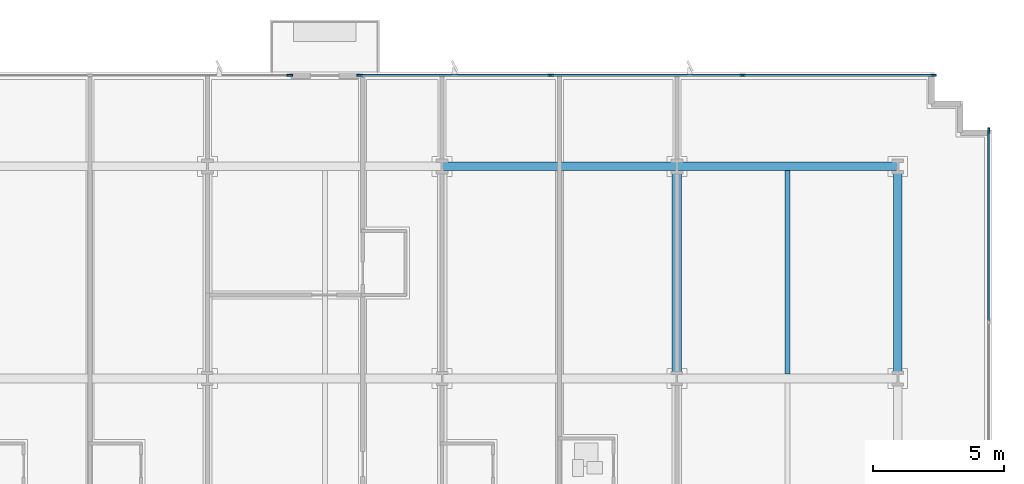
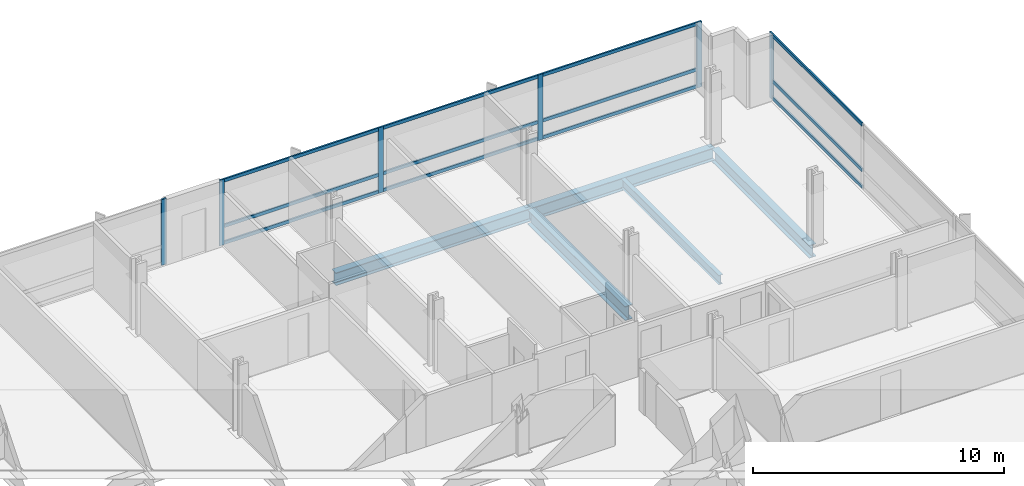
# One storey, part 6 of 15: 18 members, 5 beams, 3 elements without a shape of their own.
"""IFC4 building model written with IfcOpenShell, lengths in metres."""

from ifc_helpers import new_model, si_unit, direction, frame, origin, origin_2d, place, context, subcontext, project, spatial, rectangle, i_section, extrude, material, material_profile, profile_set, type_object, element, aggregate, save


model = new_model("IFC4")

# Units and contexts
model_context = context("Model", 3, precision=1e-05, world=origin(), true_north=direction((0.0, 1.0)))
body_context = subcontext(model_context, "Body", "Model", "MODEL_VIEW")
ifc_project = project(units=[si_unit("LENGTHUNIT", "METRE"), si_unit("AREAUNIT", "SQUARE_METRE"), si_unit("VOLUMEUNIT", "CUBIC_METRE"), si_unit("PLANEANGLEUNIT", "RADIAN"), si_unit("MASSUNIT", "GRAM", prefix="KILO")], contexts=[model_context])

# Site, building, storey
site_placement = place(None, origin())
site = spatial("IfcSite", under=ifc_project, at=site_placement, CompositionType="ELEMENT")
building_placement = place(site_placement, origin())
building = spatial("IfcBuilding", under=site, at=building_placement, Name="Solmavex Isthmus Hotel", CompositionType="ELEMENT")
storey_placement = place(building_placement, frame((0.0, 0.0, 64.35009765625)))
storey = spatial("IfcBuildingStorey", under=building, at=storey_placement, Name="L17", CompositionType="ELEMENT", Elevation=64.35009765625)

# Beams
ifc_material_1 = material(Name="Steel ASTM A992 Grade 50", Category="steel")
ifc_material_profile_1 = material_profile(ifc_material_1, i_section(OverallWidth=0.354736328125, OverallDepth=0.695556640625, WebThickness=0.015380859375, FlangeThickness=0.02490234375, FilletRadius=0.017822265625, at=origin_2d()), Name="W27X146")
ifc_profile_set_1 = profile_set([ifc_material_profile_1], Name="Steel ASTM A992 Grade 50")
beam_type_1 = type_object("IfcBeamType", Name="BM-BG-W27X146", PredefinedType="BEAM", material=ifc_profile_set_1)
beam_1_placement = place(storey_placement, frame((17.951904296875, 8.96533203125, -0.60791015625), z_axis=(0.0, 1.0, 0.0), x_axis=(-1.0, 0.0, 0.0)))
element("IfcBeam", 1, at=beam_1_placement, inside=storey, type_object=beam_type_1, Name="Floor Beam L17-VG45", PredefinedType="BEAM", context=body_context, shape_type="SweptSolid", body=[
    extrude(i_section(OverallWidth=0.354736328125, OverallDepth=0.695556640625, WebThickness=0.015380859375, FlangeThickness=0.02490234375, FilletRadius=0.017822265625, at=origin_2d()), origin(), (0.0, 0.0, 1.0), 7.771484375),
])
ifc_material_profile_2 = material_profile(ifc_material_1, i_section(OverallWidth=0.1904296875, OverallDepth=0.456787109375, WebThickness=0.009033203125, FlangeThickness=0.014404296875, FilletRadius=0.0126953125, at=origin_2d()), Name="W18X50")
ifc_profile_set_2 = profile_set([ifc_material_profile_2], Name="Steel ASTM A992 Grade 50")
beam_type_2 = type_object("IfcBeamType", Name="BM-BJ-W18X50", PredefinedType="JOIST", material=ifc_profile_set_2)
beam_2_placement = place(storey_placement, frame((22.176025390625, 8.96533203125, -0.488525390625), z_axis=(0.0, 1.0, 0.0), x_axis=(-1.0, 0.0, 0.0)))
element("IfcBeam", 2, at=beam_2_placement, inside=storey, type_object=beam_type_2, Name="Secondary Floor Joist L17-J22", PredefinedType="JOIST", context=body_context, shape_type="SweptSolid", body=[
    extrude(i_section(OverallWidth=0.1904296875, OverallDepth=0.456787109375, WebThickness=0.009033203125, FlangeThickness=0.014404296875, FilletRadius=0.0126953125, at=origin_2d()), origin(), (0.0, 0.0, 1.0), 7.771484375),
])
ifc_material_profile_3 = material_profile(ifc_material_1, i_section(OverallWidth=0.326416015625, OverallDepth=0.621826171875, WebThickness=0.015380859375, FlangeThickness=0.0244140625, FilletRadius=0.01513671875, at=origin_2d()), Name="W24X131")
ifc_profile_set_3 = profile_set([ifc_material_profile_3], Name="Steel ASTM A992 Grade 50")
beam_type_3 = type_object("IfcBeamType", Name="BM-SP-W24X131", PredefinedType="SPANDREL", material=ifc_profile_set_3)
beam_3_placement = place(storey_placement, frame((8.97607421875, 16.89990234375, -0.571044921875), z_axis=(1.0, 0.0, 0.0), x_axis=(0.0, 1.0, 0.0)))
element("IfcBeam", 3, at=beam_3_placement, inside=storey, type_object=beam_type_3, Name="Floor Girder L17-UG23", PredefinedType="SPANDREL", context=body_context, shape_type="SweptSolid", body=[
    extrude(i_section(OverallWidth=0.326416015625, OverallDepth=0.621826171875, WebThickness=0.015380859375, FlangeThickness=0.0244140625, FilletRadius=0.01513671875, at=origin_2d()), origin(), (0.0, 0.0, 1.0), 8.975830078125),
])
beam_4_placement = place(storey_placement, frame((17.951904296875, 16.89990234375, -0.571044921875), z_axis=(1.0, 0.0, 0.0), x_axis=(0.0, 1.0, 0.0)))
element("IfcBeam", 4, at=beam_4_placement, inside=storey, type_object=beam_type_3, Name="Floor Girder L17-UG24", PredefinedType="SPANDREL", context=body_context, shape_type="SweptSolid", body=[
    extrude(i_section(OverallWidth=0.326416015625, OverallDepth=0.621826171875, WebThickness=0.015380859375, FlangeThickness=0.0244140625, FilletRadius=0.01513671875, at=origin_2d()), origin(), (0.0, 0.0, 1.0), 8.447998046875),
])
beam_5_placement = place(storey_placement, frame((26.39990234375, 8.96533203125, -0.571044921875), z_axis=(0.0, 1.0, 0.0), x_axis=(-1.0, 0.0, 0.0)))
element("IfcBeam", 5, at=beam_5_placement, inside=storey, type_object=beam_type_3, Name="Floor Beam L17-VG48", PredefinedType="SPANDREL", context=body_context, shape_type="SweptSolid", body=[
    extrude(i_section(OverallWidth=0.326416015625, OverallDepth=0.621826171875, WebThickness=0.015380859375, FlangeThickness=0.0244140625, FilletRadius=0.01513671875, at=origin_2d()), origin(), (0.0, 0.0, 1.0), 7.771484375),
])

# Curtain wall, member
ifc_material_2 = material(Name="Aluminium alloy 6063-T6", Category="aluminium")
curtain_wall_type = type_object("IfcCurtainWallType", Name="CW-SYS-02", PredefinedType="NOTDEFINED", material=ifc_material_2)
curtain_wall_1_placement = place(storey_placement, origin())
curtain_wall_1 = element("IfcCurtainWall", 6, at=curtain_wall_1_placement, inside=storey, type_object=curtain_wall_type, Name="Stick Curtain Wall CWL-L17-N2", PredefinedType="NOTDEFINED")
ifc_material_profile_4 = material_profile(ifc_material_2, rectangle(XDim=0.074951171875, YDim=0.219970703125, at=origin_2d()), Name="CWM-75X220")
ifc_profile_set_4 = profile_set([ifc_material_profile_4], Name="Aluminium alloy 6063-T6")
member_type_1 = type_object("IfcMemberType", Name="CW-SYS-02-MUL", PredefinedType="MULLION", material=ifc_profile_set_4)
member_1_placement = place(storey_placement, frame((3.150390625, 20.3798828125, 0.0), z_axis=(0.0, 0.0, 1.0), x_axis=(0.0, 1.0, 0.0)))
member_1 = element("IfcMember", 7, at=member_1_placement, type_object=member_type_1, Name="CW-02 mullion 3", PredefinedType="MULLION", context=body_context, shape_type="SweptSolid", body=[
    extrude(rectangle(XDim=0.074951171875, YDim=0.219970703125, at=origin_2d()), origin(), (0.0, 0.0, 1.0), 3.18994140625),
])
aggregate(curtain_wall_1, [member_1])

# Curtain wall, members
curtain_wall_2_placement = place(storey_placement, origin())
curtain_wall_2 = element("IfcCurtainWall", 8, at=curtain_wall_2_placement, inside=storey, type_object=curtain_wall_type, Name="Stick Curtain Wall CWL-L17-N3", PredefinedType="NOTDEFINED")
member_2_placement = place(storey_placement, frame((5.825439453125, 20.3798828125, 0.0), z_axis=(0.0, 0.0, 1.0), x_axis=(0.0, 1.0, 0.0)))
member_2 = element("IfcMember", 9, at=member_2_placement, type_object=member_type_1, Name="CW-02 mullion 1", PredefinedType="MULLION", context=body_context, shape_type="SweptSolid", body=[
    extrude(rectangle(XDim=0.074951171875, YDim=0.219970703125, at=origin_2d()), origin(), (0.0, 0.0, 1.0), 3.18994140625),
])
member_3_placement = place(storey_placement, frame((13.125244140625, 20.3798828125, 0.0), z_axis=(0.0, 0.0, 1.0), x_axis=(0.0, 1.0, 0.0)))
member_3 = element("IfcMember", 10, at=member_3_placement, type_object=member_type_1, Name="CW-02 mullion 2", PredefinedType="MULLION", context=body_context, shape_type="SweptSolid", body=[
    extrude(rectangle(XDim=0.074951171875, YDim=0.219970703125, at=origin_2d()), origin(), (0.0, 0.0, 1.0), 3.18994140625),
])
member_4_placement = place(storey_placement, frame((20.462646484375, 20.3798828125, 0.0), z_axis=(0.0, 0.0, 1.0), x_axis=(0.0, 1.0, 0.0)))
member_4 = element("IfcMember", 11, at=member_4_placement, type_object=member_type_1, Name="CW-02 mullion 3", PredefinedType="MULLION", context=body_context, shape_type="SweptSolid", body=[
    extrude(rectangle(XDim=0.074951171875, YDim=0.219970703125, at=origin_2d()), origin(), (0.0, 0.0, 1.0), 3.18994140625),
])
member_5_placement = place(storey_placement, frame((27.762451171875, 20.3798828125, 0.0), z_axis=(0.0, 0.0, 1.0), x_axis=(0.0, 1.0, 0.0)))
member_5 = element("IfcMember", 12, at=member_5_placement, type_object=member_type_1, Name="CW-02 mullion 4", PredefinedType="MULLION", context=body_context, shape_type="SweptSolid", body=[
    extrude(rectangle(XDim=0.074951171875, YDim=0.219970703125, at=origin_2d()), origin(), (0.0, 0.0, 1.0), 3.18994140625),
])

# Curtain wall, member
curtain_wall_3_placement = place(storey_placement, origin())
curtain_wall_3 = element("IfcCurtainWall", 13, at=curtain_wall_3_placement, inside=storey, type_object=curtain_wall_type, Name="Stick Curtain Wall CWL-L17-E1", PredefinedType="NOTDEFINED")
member_6_placement = place(storey_placement, frame((29.8798828125, 18.262451171875, 0.0), z_axis=(0.0, 0.0, 1.0), x_axis=(-1.0, 0.0, 0.0)))
member_6 = element("IfcMember", 14, at=member_6_placement, type_object=member_type_1, Name="CW-02 mullion 6", PredefinedType="MULLION", context=body_context, shape_type="SweptSolid", body=[
    extrude(rectangle(XDim=0.074951171875, YDim=0.219970703125, at=origin_2d()), origin(), (0.0, 0.0, 1.0), 3.18994140625),
])

# Member
ifc_material_profile_5 = material_profile(ifc_material_2, rectangle(XDim=0.074951171875, YDim=0.159912109375, at=origin_2d()), Name="CWT-75X160")
ifc_profile_set_5 = profile_set([ifc_material_profile_5], Name="Aluminium alloy 6063-T6")
member_type_2 = type_object("IfcMemberType", Name="CW-SYS-02-TRN", PredefinedType="USERDEFINED", material=ifc_profile_set_5)
member_7_placement = place(storey_placement, frame((5.863037109375, 20.3798828125, 0.079833984375), z_axis=(1.0, 0.0, 0.0), x_axis=(0.0, 1.0, 0.0)))
member_7 = element("IfcMember", 15, at=member_7_placement, type_object=member_type_2, Name="CW-02 transom 1.1", ObjectType="TRANSOM", PredefinedType="USERDEFINED", context=body_context, shape_type="SweptSolid", body=[
    extrude(rectangle(XDim=0.074951171875, YDim=0.159912109375, at=origin_2d()), origin(), (0.0, 0.0, 1.0), 7.224853515625),
])

member_8_placement = place(storey_placement, frame((5.863037109375, 20.3798828125, 0.89990234375), z_axis=(1.0, 0.0, 0.0), x_axis=(0.0, 1.0, 0.0)))
member_8 = element("IfcMember", 16, at=member_8_placement, type_object=member_type_2, Name="CW-02 transom 1.2", ObjectType="TRANSOM", PredefinedType="USERDEFINED", context=body_context, shape_type="SweptSolid", body=[
    extrude(rectangle(XDim=0.074951171875, YDim=0.159912109375, at=origin_2d()), origin(), (0.0, 0.0, 1.0), 7.224853515625),
])

member_9_placement = place(storey_placement, frame((5.863037109375, 20.3798828125, 3.10986328125), z_axis=(1.0, 0.0, 0.0), x_axis=(0.0, 1.0, 0.0)))
member_9 = element("IfcMember", 17, at=member_9_placement, type_object=member_type_2, Name="CW-02 transom 1.3", ObjectType="TRANSOM", PredefinedType="USERDEFINED", context=body_context, shape_type="SweptSolid", body=[
    extrude(rectangle(XDim=0.074951171875, YDim=0.159912109375, at=origin_2d()), origin(), (0.0, 0.0, 1.0), 7.224853515625),
])

member_10_placement = place(storey_placement, frame((13.162841796875, 20.3798828125, 0.079833984375), z_axis=(1.0, 0.0, 0.0), x_axis=(0.0, 1.0, 0.0)))
member_10 = element("IfcMember", 18, at=member_10_placement, type_object=member_type_2, Name="CW-02 transom 2.1", ObjectType="TRANSOM", PredefinedType="USERDEFINED", context=body_context, shape_type="SweptSolid", body=[
    extrude(rectangle(XDim=0.074951171875, YDim=0.159912109375, at=origin_2d()), origin(), (0.0, 0.0, 1.0), 7.26220703125),
])

member_11_placement = place(storey_placement, frame((13.162841796875, 20.3798828125, 0.89990234375), z_axis=(1.0, 0.0, 0.0), x_axis=(0.0, 1.0, 0.0)))
member_11 = element("IfcMember", 19, at=member_11_placement, type_object=member_type_2, Name="CW-02 transom 2.2", ObjectType="TRANSOM", PredefinedType="USERDEFINED", context=body_context, shape_type="SweptSolid", body=[
    extrude(rectangle(XDim=0.074951171875, YDim=0.159912109375, at=origin_2d()), origin(), (0.0, 0.0, 1.0), 7.26220703125),
])

member_12_placement = place(storey_placement, frame((13.162841796875, 20.3798828125, 3.10986328125), z_axis=(1.0, 0.0, 0.0), x_axis=(0.0, 1.0, 0.0)))
member_12 = element("IfcMember", 20, at=member_12_placement, type_object=member_type_2, Name="CW-02 transom 2.3", ObjectType="TRANSOM", PredefinedType="USERDEFINED", context=body_context, shape_type="SweptSolid", body=[
    extrude(rectangle(XDim=0.074951171875, YDim=0.159912109375, at=origin_2d()), origin(), (0.0, 0.0, 1.0), 7.26220703125),
])

member_13_placement = place(storey_placement, frame((20.500244140625, 20.3798828125, 0.079833984375), z_axis=(1.0, 0.0, 0.0), x_axis=(0.0, 1.0, 0.0)))
member_13 = element("IfcMember", 21, at=member_13_placement, type_object=member_type_2, Name="CW-02 transom 3.1", ObjectType="TRANSOM", PredefinedType="USERDEFINED", context=body_context, shape_type="SweptSolid", body=[
    extrude(rectangle(XDim=0.074951171875, YDim=0.159912109375, at=origin_2d()), origin(), (0.0, 0.0, 1.0), 7.224853515625),
])

member_14_placement = place(storey_placement, frame((20.500244140625, 20.3798828125, 0.89990234375), z_axis=(1.0, 0.0, 0.0), x_axis=(0.0, 1.0, 0.0)))
member_14 = element("IfcMember", 22, at=member_14_placement, type_object=member_type_2, Name="CW-02 transom 3.2", ObjectType="TRANSOM", PredefinedType="USERDEFINED", context=body_context, shape_type="SweptSolid", body=[
    extrude(rectangle(XDim=0.074951171875, YDim=0.159912109375, at=origin_2d()), origin(), (0.0, 0.0, 1.0), 7.224853515625),
])

member_15_placement = place(storey_placement, frame((20.500244140625, 20.3798828125, 3.10986328125), z_axis=(1.0, 0.0, 0.0), x_axis=(0.0, 1.0, 0.0)))
member_15 = element("IfcMember", 23, at=member_15_placement, type_object=member_type_2, Name="CW-02 transom 3.3", ObjectType="TRANSOM", PredefinedType="USERDEFINED", context=body_context, shape_type="SweptSolid", body=[
    extrude(rectangle(XDim=0.074951171875, YDim=0.159912109375, at=origin_2d()), origin(), (0.0, 0.0, 1.0), 7.224853515625),
])

aggregate(curtain_wall_2, [member_2, member_3, member_4, member_5, member_7, member_8, member_9, member_10, member_11, member_12, member_13, member_14, member_15])

member_16_placement = place(storey_placement, frame((29.8798828125, 11.017578125, 0.079833984375), z_axis=(0.0, 1.0, 0.0), x_axis=(-1.0, 0.0, 0.0)))
member_16 = element("IfcMember", 24, at=member_16_placement, type_object=member_type_2, Name="CW-02 transom 5.1", ObjectType="TRANSOM", PredefinedType="USERDEFINED", context=body_context, shape_type="SweptSolid", body=[
    extrude(rectangle(XDim=0.074951171875, YDim=0.159912109375, at=origin_2d()), origin(), (0.0, 0.0, 1.0), 7.20751953125),
])

member_17_placement = place(storey_placement, frame((29.8798828125, 11.017578125, 0.89990234375), z_axis=(0.0, 1.0, 0.0), x_axis=(-1.0, 0.0, 0.0)))
member_17 = element("IfcMember", 25, at=member_17_placement, type_object=member_type_2, Name="CW-02 transom 5.2", ObjectType="TRANSOM", PredefinedType="USERDEFINED", context=body_context, shape_type="SweptSolid", body=[
    extrude(rectangle(XDim=0.074951171875, YDim=0.159912109375, at=origin_2d()), origin(), (0.0, 0.0, 1.0), 7.20751953125),
])

member_18_placement = place(storey_placement, frame((29.8798828125, 11.017578125, 3.10986328125), z_axis=(0.0, 1.0, 0.0), x_axis=(-1.0, 0.0, 0.0)))
member_18 = element("IfcMember", 26, at=member_18_placement, type_object=member_type_2, Name="CW-02 transom 5.3", ObjectType="TRANSOM", PredefinedType="USERDEFINED", context=body_context, shape_type="SweptSolid", body=[
    extrude(rectangle(XDim=0.074951171875, YDim=0.159912109375, at=origin_2d()), origin(), (0.0, 0.0, 1.0), 7.20751953125),
])

aggregate(curtain_wall_3, [member_6, member_16, member_17, member_18])

save(model, "model.ifc")
